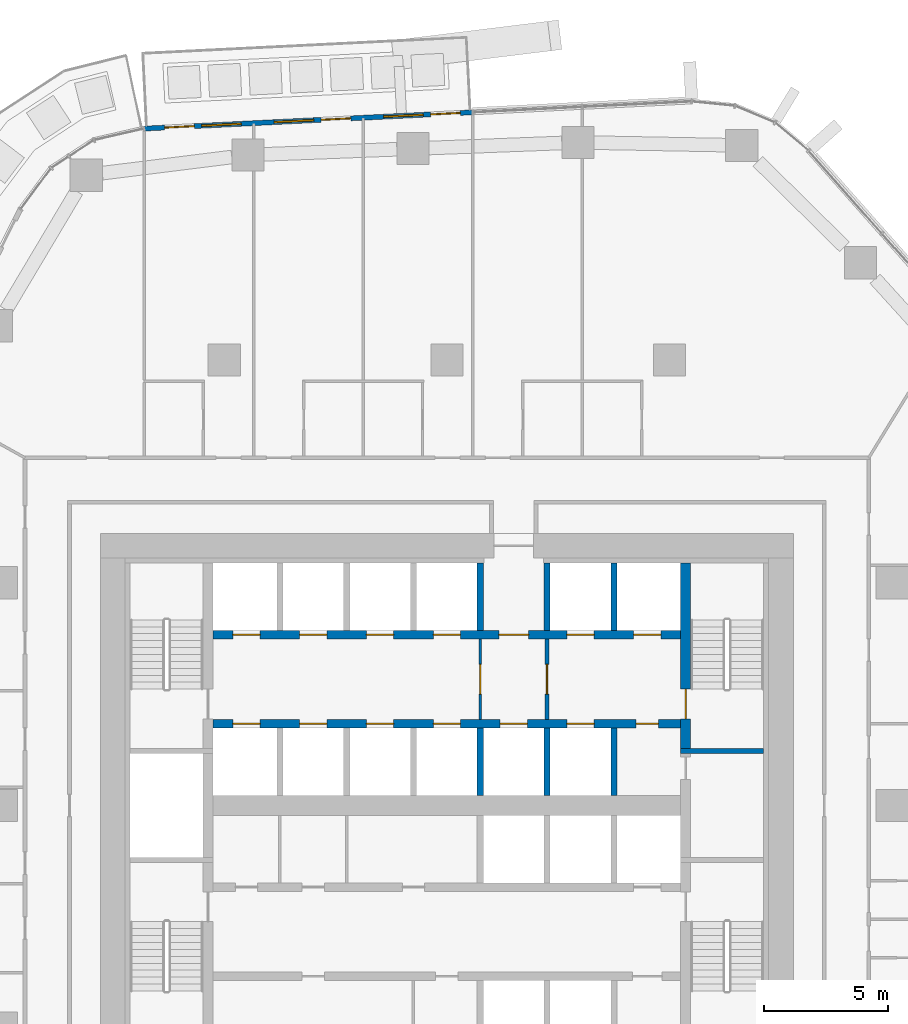
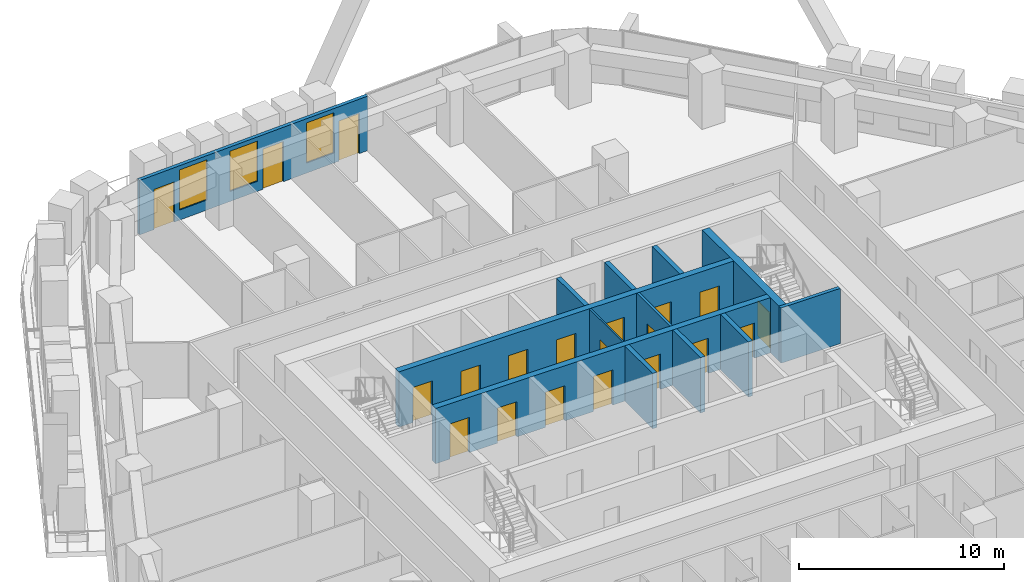
# One storey, part 16 of 25: 20 doors, 13 walls, 3 windows, 23 openings.
"""IFC4 building model written with IfcOpenShell, lengths in metres."""

from ifc_helpers import new_model, si_unit, direction, frame, frame_2d, origin, place, context, subcontext, project, spatial, rectangle, extrude, material, layer, layer_set, type_object, element, fill, save


model = new_model("IFC4")

# Units and contexts
model_context = context("Model", 3, precision=1e-05, world=origin(), true_north=direction((0.0, 1.0)))
body_context = subcontext(model_context, "Body", "Model", "MODEL_VIEW")
ifc_project = project(units=[si_unit("LENGTHUNIT", "METRE"), si_unit("AREAUNIT", "SQUARE_METRE"), si_unit("VOLUMEUNIT", "CUBIC_METRE"), si_unit("PLANEANGLEUNIT", "RADIAN"), si_unit("MASSUNIT", "GRAM", prefix="KILO")], contexts=[model_context])

# Site, building, storey
site_placement = place(None, origin())
site = spatial("IfcSite", under=ifc_project, at=site_placement, CompositionType="ELEMENT")
building_placement = place(site_placement, origin())
building = spatial("IfcBuilding", under=site, at=building_placement, Name="Dongbaek Canopy Tower", CompositionType="ELEMENT")
storey_placement = place(building_placement, frame((0.0, 0.0, 102.60009765625)))
storey = spatial("IfcBuildingStorey", under=building, at=storey_placement, Name="L21", CompositionType="ELEMENT", Elevation=102.60009765625)

# Wall, openings, doors
ifc_material_1 = material(Name="Concrete C60/75", Category="concrete")
ifc_layer_1 = layer(ifc_material_1, 0.35009765625)
ifc_layer_set_1 = layer_set([ifc_layer_1], Name="Core lobby wall 350 Concrete C60/75")
wall_type_1 = type_object("IfcWallType", Name="Core lobby wall 350 Concrete C60/75", PredefinedType="SHEAR", material=ifc_layer_set_1)
wall_1_placement = place(storey_placement, frame((-9.449951171875, 6.89990234375, 0.0), z_axis=(0.0, 0.0, 1.0), x_axis=(1.0, 0.0, 0.0)))
wall_1 = element("IfcWall", 1, at=wall_1_placement, inside=storey, type_object=wall_type_1, Name="Core wall", PredefinedType="SHEAR", context=body_context, shape_type="SweptSolid", body=[
    extrude(rectangle(XDim=18.89990234375, YDim=0.35009765625, at=frame_2d((9.449951171875, 0.0))), origin(), (0.0, 0.0, 1.0), 3.2998046875),
])
opening_1_placement = place(wall_1_placement, frame((0.800048828125, 0.0, 0.0)))
opening_1 = element("IfcOpeningElement", 2, at=opening_1_placement, cuts=wall_1, Name="Opening L21-D042", PredefinedType="OPENING", context=body_context, shape_type="SweptSolid", body=[
    extrude(rectangle(XDim=1.10009765625, YDim=2.10009765625, at=frame_2d((0.550048828125, 1.050048828125))), frame((0.0, 0.18505859375, 0.0), z_axis=(0.0, -1.0, 0.0), x_axis=(1.0, 0.0, 0.0)), (0.0, 0.0, 1.0), 0.3701171875),
])
opening_2_placement = place(wall_1_placement, frame((3.5, 0.0, 0.0)))
opening_2 = element("IfcOpeningElement", 3, at=opening_2_placement, cuts=wall_1, Name="Opening L21-D043", PredefinedType="OPENING", context=body_context, shape_type="SweptSolid", body=[
    extrude(rectangle(XDim=1.10009765625, YDim=2.10009765625, at=frame_2d((0.550048828125, 1.050048828125))), frame((0.0, 0.18505859375, 0.0), z_axis=(0.0, -1.0, 0.0), x_axis=(1.0, 0.0, 0.0)), (0.0, 0.0, 1.0), 0.3701171875),
])
opening_3_placement = place(wall_1_placement, frame((6.199951171875, 0.0, 0.0)))
opening_3 = element("IfcOpeningElement", 4, at=opening_3_placement, cuts=wall_1, Name="Opening L21-D044", PredefinedType="OPENING", context=body_context, shape_type="SweptSolid", body=[
    extrude(rectangle(XDim=1.10009765625, YDim=2.10009765625, at=frame_2d((0.550048828125, 1.050048828125))), frame((0.0, 0.18505859375, 0.0), z_axis=(0.0, -1.0, 0.0), x_axis=(1.0, 0.0, 0.0)), (0.0, 0.0, 1.0), 0.3701171875),
])
opening_4_placement = place(wall_1_placement, frame((8.89990234375, 0.0, 0.0)))
opening_4 = element("IfcOpeningElement", 5, at=opening_4_placement, cuts=wall_1, Name="Opening L21-D045", PredefinedType="OPENING", context=body_context, shape_type="SweptSolid", body=[
    extrude(rectangle(XDim=1.10009765625, YDim=2.10009765625, at=frame_2d((0.550048828125, 1.050048828125))), frame((0.0, 0.18505859375, 0.0), z_axis=(0.0, -1.0, 0.0), x_axis=(1.0, 0.0, 0.0)), (0.0, 0.0, 1.0), 0.3701171875),
])
opening_5_placement = place(wall_1_placement, frame((11.550048828125, 0.0, 0.0)))
opening_5 = element("IfcOpeningElement", 6, at=opening_5_placement, cuts=wall_1, Name="Opening L21-D047", PredefinedType="OPENING", context=body_context, shape_type="SweptSolid", body=[
    extrude(rectangle(XDim=1.199951171875, YDim=2.10009765625, at=frame_2d((0.60009765625, 1.050048828125))), frame((0.0, 0.18505859375, 0.0), z_axis=(0.0, -1.0, 0.0), x_axis=(1.0, 0.0, 0.0)), (0.0, 0.0, 1.0), 0.3701171875),
])
opening_6_placement = place(wall_1_placement, frame((14.300048828125, 0.0, 0.0)))
opening_6 = element("IfcOpeningElement", 7, at=opening_6_placement, cuts=wall_1, Name="Opening L21-D048", PredefinedType="OPENING", context=body_context, shape_type="SweptSolid", body=[
    extrude(rectangle(XDim=1.10009765625, YDim=2.10009765625, at=frame_2d((0.550048828125, 1.050048828125))), frame((0.0, 0.18505859375, 0.0), z_axis=(0.0, -1.0, 0.0), x_axis=(1.0, 0.0, 0.0)), (0.0, 0.0, 1.0), 0.3701171875),
])
opening_7_placement = place(wall_1_placement, frame((17.0, 0.0, 0.0)))
opening_7 = element("IfcOpeningElement", 8, at=opening_7_placement, cuts=wall_1, Name="Opening L21-D049", PredefinedType="OPENING", context=body_context, shape_type="SweptSolid", body=[
    extrude(rectangle(XDim=1.10009765625, YDim=2.10009765625, at=frame_2d((0.550048828125, 1.050048828125))), frame((0.0, 0.18505859375, 0.0), z_axis=(0.0, -1.0, 0.0), x_axis=(1.0, 0.0, 0.0)), (0.0, 0.0, 1.0), 0.3701171875),
])
ifc_material_2 = material(Name="Steel", Category="steel")
door_type_1 = type_object("IfcDoorType", Name="Fire lobby door 1200 x 2100", OperationType="SINGLE_SWING_LEFT", PredefinedType="DOOR", material=ifc_material_2)
door_1_placement = place(opening_5_placement, origin())
door_1 = element("IfcDoor", 9, at=door_1_placement, inside=storey, type_object=door_type_1, Name="Door L21-D047", OperationType="SINGLE_SWING_LEFT", OverallHeight=2.10009765625, OverallWidth=1.199951171875, PredefinedType="DOOR", context=body_context, shape_type="SweptSolid", body=[
    extrude(rectangle(XDim=1.199951171875, YDim=2.10009765625, at=frame_2d((0.60009765625, 1.050048828125))), frame((0.0, 0.02490234375, 0.0), z_axis=(0.0, -1.0, 0.0), x_axis=(1.0, 0.0, 0.0)), (0.0, 0.0, 1.0), 0.050048828125),
])
fill(opening_5, door_1)
ifc_material_3 = material(Name="Stainless steel", Category="steel")
door_type_2 = type_object("IfcDoorType", Name="Lift landing door 1100 x 2100", OperationType="DOUBLE_DOOR_SLIDING", PredefinedType="DOOR", material=ifc_material_3)
door_2_placement = place(opening_1_placement, origin())
door_2 = element("IfcDoor", 10, at=door_2_placement, inside=storey, type_object=door_type_2, Name="Landing door LR1", OperationType="DOUBLE_DOOR_SLIDING", OverallHeight=2.10009765625, OverallWidth=1.10009765625, PredefinedType="DOOR", context=body_context, shape_type="SweptSolid", body=[
    extrude(rectangle(XDim=1.10009765625, YDim=2.10009765625, at=frame_2d((0.550048828125, 1.050048828125))), frame((0.0, 0.02490234375, 0.0), z_axis=(0.0, -1.0, 0.0), x_axis=(1.0, 0.0, 0.0)), (0.0, 0.0, 1.0), 0.050048828125),
])
fill(opening_1, door_2)
door_3_placement = place(opening_2_placement, origin())
door_3 = element("IfcDoor", 11, at=door_3_placement, inside=storey, type_object=door_type_2, Name="Landing door LR2", OperationType="DOUBLE_DOOR_SLIDING", OverallHeight=2.10009765625, OverallWidth=1.10009765625, PredefinedType="DOOR", context=body_context, shape_type="SweptSolid", body=[
    extrude(rectangle(XDim=1.10009765625, YDim=2.10009765625, at=frame_2d((0.550048828125, 1.050048828125))), frame((0.0, 0.02490234375, 0.0), z_axis=(0.0, -1.0, 0.0), x_axis=(1.0, 0.0, 0.0)), (0.0, 0.0, 1.0), 0.050048828125),
])
fill(opening_2, door_3)
door_4_placement = place(opening_3_placement, origin())
door_4 = element("IfcDoor", 12, at=door_4_placement, inside=storey, type_object=door_type_2, Name="Landing door LR3", OperationType="DOUBLE_DOOR_SLIDING", OverallHeight=2.10009765625, OverallWidth=1.10009765625, PredefinedType="DOOR", context=body_context, shape_type="SweptSolid", body=[
    extrude(rectangle(XDim=1.10009765625, YDim=2.10009765625, at=frame_2d((0.550048828125, 1.050048828125))), frame((0.0, 0.02490234375, 0.0), z_axis=(0.0, -1.0, 0.0), x_axis=(1.0, 0.0, 0.0)), (0.0, 0.0, 1.0), 0.050048828125),
])
fill(opening_3, door_4)
door_5_placement = place(opening_4_placement, origin())
door_5 = element("IfcDoor", 13, at=door_5_placement, inside=storey, type_object=door_type_2, Name="Landing door LR4", OperationType="DOUBLE_DOOR_SLIDING", OverallHeight=2.10009765625, OverallWidth=1.10009765625, PredefinedType="DOOR", context=body_context, shape_type="SweptSolid", body=[
    extrude(rectangle(XDim=1.10009765625, YDim=2.10009765625, at=frame_2d((0.550048828125, 1.050048828125))), frame((0.0, 0.02490234375, 0.0), z_axis=(0.0, -1.0, 0.0), x_axis=(1.0, 0.0, 0.0)), (0.0, 0.0, 1.0), 0.050048828125),
])
fill(opening_4, door_5)
door_6_placement = place(opening_6_placement, origin())
door_6 = element("IfcDoor", 14, at=door_6_placement, inside=storey, type_object=door_type_2, Name="Landing door FF1", OperationType="DOUBLE_DOOR_SLIDING", OverallHeight=2.10009765625, OverallWidth=1.10009765625, PredefinedType="DOOR", context=body_context, shape_type="SweptSolid", body=[
    extrude(rectangle(XDim=1.10009765625, YDim=2.10009765625, at=frame_2d((0.550048828125, 1.050048828125))), frame((0.0, 0.02490234375, 0.0), z_axis=(0.0, -1.0, 0.0), x_axis=(1.0, 0.0, 0.0)), (0.0, 0.0, 1.0), 0.050048828125),
])
fill(opening_6, door_6)
door_7_placement = place(opening_7_placement, origin())
door_7 = element("IfcDoor", 15, at=door_7_placement, inside=storey, type_object=door_type_2, Name="Landing door FF2", OperationType="DOUBLE_DOOR_SLIDING", OverallHeight=2.10009765625, OverallWidth=1.10009765625, PredefinedType="DOOR", context=body_context, shape_type="SweptSolid", body=[
    extrude(rectangle(XDim=1.10009765625, YDim=2.10009765625, at=frame_2d((0.550048828125, 1.050048828125))), frame((0.0, 0.02490234375, 0.0), z_axis=(0.0, -1.0, 0.0), x_axis=(1.0, 0.0, 0.0)), (0.0, 0.0, 1.0), 0.050048828125),
])
fill(opening_7, door_7)

wall_2_placement = place(storey_placement, frame((9.449951171875, 3.300048828125, 0.0), z_axis=(0.0, 0.0, 1.0), x_axis=(-1.0, 0.0, 0.0)))
wall_2 = element("IfcWall", 16, at=wall_2_placement, inside=storey, type_object=wall_type_1, Name="Core wall", PredefinedType="SHEAR", context=body_context, shape_type="SweptSolid", body=[
    extrude(rectangle(XDim=18.89990234375, YDim=0.35009765625, at=frame_2d((9.449951171875, 0.0))), origin(), (0.0, 0.0, 1.0), 3.2998046875),
])
opening_8_placement = place(wall_2_placement, frame((17.0, 0.0, 0.0)))
opening_8 = element("IfcOpeningElement", 17, at=opening_8_placement, cuts=wall_2, Name="Opening L21-D050", PredefinedType="OPENING", context=body_context, shape_type="SweptSolid", body=[
    extrude(rectangle(XDim=1.10009765625, YDim=2.10009765625, at=frame_2d((0.550048828125, 1.050048828125))), frame((0.0, 0.18505859375, 0.0), z_axis=(0.0, -1.0, 0.0), x_axis=(1.0, 0.0, 0.0)), (0.0, 0.0, 1.0), 0.3701171875),
])
opening_9_placement = place(wall_2_placement, frame((14.300048828125, 0.0, 0.0)))
opening_9 = element("IfcOpeningElement", 18, at=opening_9_placement, cuts=wall_2, Name="Opening L21-D051", PredefinedType="OPENING", context=body_context, shape_type="SweptSolid", body=[
    extrude(rectangle(XDim=1.10009765625, YDim=2.10009765625, at=frame_2d((0.550048828125, 1.050048828125))), frame((0.0, 0.18505859375, 0.0), z_axis=(0.0, -1.0, 0.0), x_axis=(1.0, 0.0, 0.0)), (0.0, 0.0, 1.0), 0.3701171875),
])
opening_10_placement = place(wall_2_placement, frame((11.60009765625, 0.0, 0.0)))
opening_10 = element("IfcOpeningElement", 19, at=opening_10_placement, cuts=wall_2, Name="Opening L21-D052", PredefinedType="OPENING", context=body_context, shape_type="SweptSolid", body=[
    extrude(rectangle(XDim=1.10009765625, YDim=2.10009765625, at=frame_2d((0.550048828125, 1.050048828125))), frame((0.0, 0.18505859375, 0.0), z_axis=(0.0, -1.0, 0.0), x_axis=(1.0, 0.0, 0.0)), (0.0, 0.0, 1.0), 0.3701171875),
])
opening_11_placement = place(wall_2_placement, frame((8.89990234375, 0.0, 0.0)))
opening_11 = element("IfcOpeningElement", 20, at=opening_11_placement, cuts=wall_2, Name="Opening L21-D053", PredefinedType="OPENING", context=body_context, shape_type="SweptSolid", body=[
    extrude(rectangle(XDim=1.10009765625, YDim=2.10009765625, at=frame_2d((0.550048828125, 1.050048828125))), frame((0.0, 0.18505859375, 0.0), z_axis=(0.0, -1.0, 0.0), x_axis=(1.0, 0.0, 0.0)), (0.0, 0.0, 1.0), 0.3701171875),
])
opening_12_placement = place(wall_2_placement, frame((6.199951171875, 0.0, 0.0)))
opening_12 = element("IfcOpeningElement", 21, at=opening_12_placement, cuts=wall_2, Name="Opening L21-D054", PredefinedType="OPENING", context=body_context, shape_type="SweptSolid", body=[
    extrude(rectangle(XDim=1.10009765625, YDim=2.10009765625, at=frame_2d((0.550048828125, 1.050048828125))), frame((0.0, 0.18505859375, 0.0), z_axis=(0.0, -1.0, 0.0), x_axis=(1.0, 0.0, 0.0)), (0.0, 0.0, 1.0), 0.3701171875),
])
opening_13_placement = place(wall_2_placement, frame((3.5, 0.0, 0.0)))
opening_13 = element("IfcOpeningElement", 22, at=opening_13_placement, cuts=wall_2, Name="Opening L21-D055", PredefinedType="OPENING", context=body_context, shape_type="SweptSolid", body=[
    extrude(rectangle(XDim=1.10009765625, YDim=2.10009765625, at=frame_2d((0.550048828125, 1.050048828125))), frame((0.0, 0.18505859375, 0.0), z_axis=(0.0, -1.0, 0.0), x_axis=(1.0, 0.0, 0.0)), (0.0, 0.0, 1.0), 0.3701171875),
])
opening_14_placement = place(wall_2_placement, frame((0.89990234375, 0.0, 0.0)))
opening_14 = element("IfcOpeningElement", 23, at=opening_14_placement, cuts=wall_2, Name="Opening L21-D056", PredefinedType="OPENING", context=body_context, shape_type="SweptSolid", body=[
    extrude(rectangle(XDim=0.89990234375, YDim=2.10009765625, at=frame_2d((0.449951171875, 1.050048828125))), frame((0.0, 0.18505859375, 0.0), z_axis=(0.0, -1.0, 0.0), x_axis=(1.0, 0.0, 0.0)), (0.0, 0.0, 1.0), 0.3701171875),
])
ifc_material_4 = material(Name="Steel", Category="steel")
door_type_3 = type_object("IfcDoorType", Name="Core room door 900 x 2100", OperationType="SINGLE_SWING_LEFT", PredefinedType="DOOR", material=ifc_material_4)
door_8_placement = place(opening_14_placement, origin())
door_8 = element("IfcDoor", 24, at=door_8_placement, inside=storey, type_object=door_type_3, Name="Door L21-D056", OperationType="SINGLE_SWING_LEFT", OverallHeight=2.10009765625, OverallWidth=0.89990234375, PredefinedType="DOOR", context=body_context, shape_type="SweptSolid", body=[
    extrude(rectangle(XDim=0.89990234375, YDim=2.10009765625, at=frame_2d((0.449951171875, 1.050048828125))), frame((0.0, 0.02490234375, 0.0), z_axis=(0.0, -1.0, 0.0), x_axis=(1.0, 0.0, 0.0)), (0.0, 0.0, 1.0), 0.050048828125),
])
fill(opening_14, door_8)
door_9_placement = place(opening_8_placement, origin())
door_9 = element("IfcDoor", 25, at=door_9_placement, inside=storey, type_object=door_type_2, Name="Landing door LR5", OperationType="DOUBLE_DOOR_SLIDING", OverallHeight=2.10009765625, OverallWidth=1.10009765625, PredefinedType="DOOR", context=body_context, shape_type="SweptSolid", body=[
    extrude(rectangle(XDim=1.10009765625, YDim=2.10009765625, at=frame_2d((0.550048828125, 1.050048828125))), frame((0.0, 0.02490234375, 0.0), z_axis=(0.0, -1.0, 0.0), x_axis=(1.0, 0.0, 0.0)), (0.0, 0.0, 1.0), 0.050048828125),
])
fill(opening_8, door_9)
door_10_placement = place(opening_9_placement, origin())
door_10 = element("IfcDoor", 26, at=door_10_placement, inside=storey, type_object=door_type_2, Name="Landing door LR6", OperationType="DOUBLE_DOOR_SLIDING", OverallHeight=2.10009765625, OverallWidth=1.10009765625, PredefinedType="DOOR", context=body_context, shape_type="SweptSolid", body=[
    extrude(rectangle(XDim=1.10009765625, YDim=2.10009765625, at=frame_2d((0.550048828125, 1.050048828125))), frame((0.0, 0.02490234375, 0.0), z_axis=(0.0, -1.0, 0.0), x_axis=(1.0, 0.0, 0.0)), (0.0, 0.0, 1.0), 0.050048828125),
])
fill(opening_9, door_10)
door_11_placement = place(opening_10_placement, origin())
door_11 = element("IfcDoor", 27, at=door_11_placement, inside=storey, type_object=door_type_2, Name="Landing door LR7", OperationType="DOUBLE_DOOR_SLIDING", OverallHeight=2.10009765625, OverallWidth=1.10009765625, PredefinedType="DOOR", context=body_context, shape_type="SweptSolid", body=[
    extrude(rectangle(XDim=1.10009765625, YDim=2.10009765625, at=frame_2d((0.550048828125, 1.050048828125))), frame((0.0, 0.02490234375, 0.0), z_axis=(0.0, -1.0, 0.0), x_axis=(1.0, 0.0, 0.0)), (0.0, 0.0, 1.0), 0.050048828125),
])
fill(opening_10, door_11)
door_12_placement = place(opening_11_placement, origin())
door_12 = element("IfcDoor", 28, at=door_12_placement, inside=storey, type_object=door_type_2, Name="Landing door LR8", OperationType="DOUBLE_DOOR_SLIDING", OverallHeight=2.10009765625, OverallWidth=1.10009765625, PredefinedType="DOOR", context=body_context, shape_type="SweptSolid", body=[
    extrude(rectangle(XDim=1.10009765625, YDim=2.10009765625, at=frame_2d((0.550048828125, 1.050048828125))), frame((0.0, 0.02490234375, 0.0), z_axis=(0.0, -1.0, 0.0), x_axis=(1.0, 0.0, 0.0)), (0.0, 0.0, 1.0), 0.050048828125),
])
fill(opening_11, door_12)
door_13_placement = place(opening_12_placement, origin())
door_13 = element("IfcDoor", 29, at=door_13_placement, inside=storey, type_object=door_type_2, Name="Landing door SV1", OperationType="DOUBLE_DOOR_SLIDING", OverallHeight=2.10009765625, OverallWidth=1.10009765625, PredefinedType="DOOR", context=body_context, shape_type="SweptSolid", body=[
    extrude(rectangle(XDim=1.10009765625, YDim=2.10009765625, at=frame_2d((0.550048828125, 1.050048828125))), frame((0.0, 0.02490234375, 0.0), z_axis=(0.0, -1.0, 0.0), x_axis=(1.0, 0.0, 0.0)), (0.0, 0.0, 1.0), 0.050048828125),
])
fill(opening_12, door_13)
door_14_placement = place(opening_13_placement, origin())
door_14 = element("IfcDoor", 30, at=door_14_placement, inside=storey, type_object=door_type_2, Name="Landing door FF3", OperationType="DOUBLE_DOOR_SLIDING", OverallHeight=2.10009765625, OverallWidth=1.10009765625, PredefinedType="DOOR", context=body_context, shape_type="SweptSolid", body=[
    extrude(rectangle(XDim=1.10009765625, YDim=2.10009765625, at=frame_2d((0.550048828125, 1.050048828125))), frame((0.0, 0.02490234375, 0.0), z_axis=(0.0, -1.0, 0.0), x_axis=(1.0, 0.0, 0.0)), (0.0, 0.0, 1.0), 0.050048828125),
])
fill(opening_13, door_14)

# Wall, opening, door
ifc_material_5 = material(Name="Gypsum board partition, steel stud, 2 x 15 mm fire board", Category="steel")
ifc_layer_2 = layer(ifc_material_5, 0.14990234375)
ifc_layer_set_2 = layer_set([ifc_layer_2], Name="Fire-rated partition 150 gypsum board")
wall_type_2 = type_object("IfcWallType", Name="Fire-rated partition 150 gypsum board", PredefinedType="PARTITIONING", material=ifc_layer_set_2)
wall_3_placement = place(storey_placement, frame((4.050048828125, 6.72509765625, 0.0), z_axis=(0.0, 0.0, 1.0), x_axis=(0.0, -1.0, 0.0)))
wall_3 = element("IfcWall", 31, at=wall_3_placement, inside=storey, type_object=wall_type_2, Name="Fire lobby partition", PredefinedType="PARTITIONING", context=body_context, shape_type="SweptSolid", body=[
    extrude(rectangle(XDim=3.25, YDim=0.14990234375, at=frame_2d((1.625, 0.0))), origin(), (0.0, 0.0, 1.0), 3.2998046875),
])
opening_15_placement = place(wall_3_placement, frame((1.02490234375, 0.0, 0.0)))
opening_15 = element("IfcOpeningElement", 32, at=opening_15_placement, cuts=wall_3, Name="Opening L21-D070", PredefinedType="OPENING", context=body_context, shape_type="SweptSolid", body=[
    extrude(rectangle(XDim=1.199951171875, YDim=2.10009765625, at=frame_2d((0.60009765625, 1.050048828125))), frame((0.0, 0.0849609375, 0.0), z_axis=(0.0, -1.0, 0.0), x_axis=(1.0, 0.0, 0.0)), (0.0, 0.0, 1.0), 0.169921875),
])
door_15_placement = place(opening_15_placement, origin())
door_15 = element("IfcDoor", 33, at=door_15_placement, inside=storey, type_object=door_type_1, Name="Door L21-D070", OperationType="SINGLE_SWING_RIGHT", OverallHeight=2.10009765625, OverallWidth=1.199951171875, PredefinedType="DOOR", context=body_context, shape_type="SweptSolid", body=[
    extrude(rectangle(XDim=1.199951171875, YDim=2.10009765625, at=frame_2d((0.60009765625, 1.050048828125))), frame((0.0, 0.02490234375, 0.0), z_axis=(0.0, -1.0, 0.0), x_axis=(1.0, 0.0, 0.0)), (0.0, 0.0, 1.0), 0.050048828125),
])
fill(opening_15, door_15)

# Walls
ifc_material_6 = material(Name="Concrete C40/50", Category="concrete")
ifc_layer_3 = layer(ifc_material_6, 0.25)
ifc_layer_set_3 = layer_set([ifc_layer_3], Name="Lift shaft wall 250 Concrete C40/50")
wall_type_3 = type_object("IfcWallType", Name="Lift shaft wall 250 Concrete C40/50", PredefinedType="SOLIDWALL", material=ifc_layer_set_3)
for number, where, z_axis, x_axis, name in (
    (34, (6.75, 0.39990234375, 0.0), (0.0, 0.0, 1.0), (0.0, 1.0, 0.0), "Lift shaft wall"),
    (35, (6.75, 7.074951171875, 0.0), (0.0, 0.0, 1.0), (0.0, 1.0, 0.0), "Lift shaft wall"),
    (36, (4.050048828125, 0.39990234375, 0.0), (0.0, 0.0, 1.0), (0.0, 1.0, 0.0), "Lift shaft wall"),
    (37, (4.050048828125, 7.074951171875, 0.0), (0.0, 0.0, 1.0), (0.0, 1.0, 0.0), "Lift shaft wall"),
    (38, (1.35009765625, 0.39990234375, 0.0), (0.0, 0.0, 1.0), (0.0, 1.0, 0.0), "Lift shaft wall"),
    (39, (1.35009765625, 7.074951171875, 0.0), (0.0, 0.0, 1.0), (0.0, 1.0, 0.0), "Lift shaft wall"),
):
    element("IfcWall", number, at=place(storey_placement, frame(where, z_axis=z_axis, x_axis=x_axis)), inside=storey, type_object=wall_type_3, Name=name, PredefinedType="SOLIDWALL", context=body_context, shape_type="SweptSolid", body=[
        extrude(rectangle(XDim=2.72509765625, YDim=0.25, at=frame_2d((1.362548828125, 0.0))), origin(), (0.0, 0.0, 1.0), 3.2998046875),
    ])

# Wall, opening, door
ifc_material_7 = material(Name="Gypsum board partition, steel stud, 2 x 12.5 mm board", Category="steel")
ifc_layer_4 = layer(ifc_material_7, 0.10009765625)
ifc_layer_set_4 = layer_set([ifc_layer_4], Name="Partition 100 gypsum board")
wall_type_4 = type_object("IfcWallType", Name="Partition 100 gypsum board", PredefinedType="PARTITIONING", material=ifc_layer_set_4)
wall_4_placement = place(storey_placement, frame((1.35009765625, 6.72509765625, 0.0), z_axis=(0.0, 0.0, 1.0), x_axis=(0.0, -1.0, 0.0)))
wall_4 = element("IfcWall", 40, at=wall_4_placement, inside=storey, type_object=wall_type_4, Name="Core partition", PredefinedType="PARTITIONING", context=body_context, shape_type="SweptSolid", body=[
    extrude(rectangle(XDim=3.25, YDim=0.10009765625, at=frame_2d((1.625, 0.0))), origin(), (0.0, 0.0, 1.0), 3.2998046875),
])
opening_16_placement = place(wall_4_placement, frame((1.02490234375, 0.0, 0.0)))
opening_16 = element("IfcOpeningElement", 41, at=opening_16_placement, cuts=wall_4, Name="Opening L21-D069", PredefinedType="OPENING", context=body_context, shape_type="SweptSolid", body=[
    extrude(rectangle(XDim=1.199951171875, YDim=2.10009765625, at=frame_2d((0.60009765625, 1.050048828125))), frame((0.0, 0.06005859375, 0.0), z_axis=(0.0, -1.0, 0.0), x_axis=(1.0, 0.0, 0.0)), (0.0, 0.0, 1.0), 0.1201171875),
])
door_16_placement = place(opening_16_placement, origin())
door_16 = element("IfcDoor", 42, at=door_16_placement, inside=storey, type_object=door_type_1, Name="Door L21-D069", OperationType="SINGLE_SWING_LEFT", OverallHeight=2.10009765625, OverallWidth=1.199951171875, PredefinedType="DOOR", context=body_context, shape_type="SweptSolid", body=[
    extrude(rectangle(XDim=1.199951171875, YDim=2.10009765625, at=frame_2d((0.60009765625, 1.050048828125))), frame((0.0, 0.02490234375, 0.0), z_axis=(0.0, -1.0, 0.0), x_axis=(1.0, 0.0, 0.0)), (0.0, 0.0, 1.0), 0.050048828125),
])
fill(opening_16, door_16)

# Wall
ifc_material_8 = material(Name="Concrete C60/75", Category="concrete")
ifc_layer_5 = layer(ifc_material_8, 0.199951171875)
ifc_layer_set_5 = layer_set([ifc_layer_5], Name="Riser wall 200 Concrete C60/75")
wall_type_5 = type_object("IfcWallType", Name="Riser wall 200 Concrete C60/75", PredefinedType="SHEAR", material=ifc_layer_set_5)
wall_5_placement = place(storey_placement, frame((9.449951171875, 2.199951171875, 0.0), z_axis=(0.0, 0.0, 1.0), x_axis=(1.0, 0.0, 0.0)))
element("IfcWall", 43, at=wall_5_placement, inside=storey, type_object=wall_type_5, Name="Riser wall", PredefinedType="SHEAR", context=body_context, shape_type="SweptSolid", body=[
    extrude(rectangle(XDim=3.35009765625, YDim=0.199951171875, at=frame_2d((1.675048828125, 0.0))), origin(), (0.0, 0.0, 1.0), 3.2998046875),
])

# Wall, opening, door
ifc_material_9 = material(Name="Concrete C60/75", Category="concrete")
ifc_layer_6 = layer(ifc_material_9, 0.39990234375)
ifc_layer_set_6 = layer_set([ifc_layer_6], Name="Stair wall 400 Concrete C60/75")
wall_type_6 = type_object("IfcWallType", Name="Stair wall 400 Concrete C60/75", PredefinedType="SHEAR", material=ifc_layer_set_6)
wall_6_placement = place(storey_placement, frame((9.64990234375, 9.800048828125, 0.0), z_axis=(0.0, 0.0, 1.0), x_axis=(0.0, -1.0, 0.0)))
wall_6 = element("IfcWall", 44, at=wall_6_placement, inside=storey, type_object=wall_type_6, Name="Stair wall", PredefinedType="SHEAR", context=body_context, shape_type="SweptSolid", body=[
    extrude(rectangle(XDim=7.5, YDim=0.39990234375, at=frame_2d((3.75, 0.0))), origin(), (0.0, 0.0, 1.0), 3.2998046875),
])
opening_17_placement = place(wall_6_placement, frame((5.10009765625, 0.0, 0.0)))
opening_17 = element("IfcOpeningElement", 45, at=opening_17_placement, cuts=wall_6, Name="Opening L21-D065", PredefinedType="OPENING", context=body_context, shape_type="SweptSolid", body=[
    extrude(rectangle(XDim=1.199951171875, YDim=2.10009765625, at=frame_2d((0.60009765625, 1.050048828125))), frame((0.0, 0.2099609375, 0.0), z_axis=(0.0, -1.0, 0.0), x_axis=(1.0, 0.0, 0.0)), (0.0, 0.0, 1.0), 0.419921875),
])
ifc_material_10 = material(Name="Steel", Category="steel")
door_type_4 = type_object("IfcDoorType", Name="Stair door 1200 x 2100", OperationType="SINGLE_SWING_LEFT", PredefinedType="DOOR", material=ifc_material_10)
door_17_placement = place(opening_17_placement, origin())
door_17 = element("IfcDoor", 46, at=door_17_placement, inside=storey, type_object=door_type_4, Name="Stair A door", OperationType="SINGLE_SWING_LEFT", OverallHeight=2.10009765625, OverallWidth=1.199951171875, PredefinedType="DOOR", context=body_context, shape_type="SweptSolid", body=[
    extrude(rectangle(XDim=1.199951171875, YDim=2.10009765625, at=frame_2d((0.60009765625, 1.050048828125))), frame((0.0, 0.02490234375, 0.0), z_axis=(0.0, -1.0, 0.0), x_axis=(1.0, 0.0, 0.0)), (0.0, 0.0, 1.0), 0.050048828125),
])
fill(opening_17, door_17)

# Wall, openings, doors, windows
ifc_material_11 = material(Name="Aluminium window wall", Category="aluminium")
ifc_layer_7 = layer(ifc_material_11, 0.199951171875)
ifc_layer_set_7 = layer_set([ifc_layer_7], Name="Window wall 200")
wall_type_7 = type_object("IfcWallType", Name="Window wall 200", PredefinedType="SOLIDWALL", material=ifc_layer_set_7)
wall_7_placement = place(storey_placement, frame((1.042236328125, 28.012451171875, 0.0), z_axis=(0.0, 0.0, 1.0), x_axis=(-0.998772222794, -0.049538338427, 0.0)))
wall_7 = element("IfcWall", 47, at=wall_7_placement, inside=storey, type_object=wall_type_7, Name="Window wall L21 2", PredefinedType="SOLIDWALL", context=body_context, shape_type="SweptSolid", body=[
    extrude(rectangle(XDim=13.296630859375, YDim=0.199951171875, at=frame_2d((6.6484375, 0.0))), origin(), (0.0, 0.0, 1.0), 3.25),
])
opening_18_placement = place(wall_7_placement, frame((2.0, 0.0, 0.60009765625)))
opening_18 = element("IfcOpeningElement", 48, at=opening_18_placement, cuts=wall_7, Name="Opening W1", PredefinedType="OPENING", context=body_context, shape_type="SweptSolid", body=[
    extrude(rectangle(XDim=1.60009765625, YDim=2.39990234375, at=frame_2d((0.800048828125, 1.199951171875))), frame((0.0, 0.10986328125, 0.0), z_axis=(0.0, -1.0, 0.0), x_axis=(1.0, 0.0, 0.0)), (0.0, 0.0, 1.0), 0.219970703125),
])
opening_19_placement = place(wall_7_placement, frame((0.5, 0.0, 0.0)))
opening_19 = element("IfcOpeningElement", 49, at=opening_19_placement, cuts=wall_7, Name="Opening L21-B04", PredefinedType="OPENING", context=body_context, shape_type="SweptSolid", body=[
    extrude(rectangle(XDim=1.199951171875, YDim=2.39990234375, at=frame_2d((0.60009765625, 1.199951171875))), frame((0.0, 0.10986328125, 0.0), z_axis=(0.0, -1.0, 0.0), x_axis=(1.0, 0.0, 0.0)), (0.0, 0.0, 1.0), 0.219970703125),
])
opening_20_placement = place(wall_7_placement, frame((6.43212890625, 0.0, 0.60009765625)))
opening_20 = element("IfcOpeningElement", 50, at=opening_20_placement, cuts=wall_7, Name="Opening W1", PredefinedType="OPENING", context=body_context, shape_type="SweptSolid", body=[
    extrude(rectangle(XDim=1.60009765625, YDim=2.39990234375, at=frame_2d((0.800048828125, 1.199951171875))), frame((0.0, 0.10986328125, 0.0), z_axis=(0.0, -1.0, 0.0), x_axis=(1.0, 0.0, 0.0)), (0.0, 0.0, 1.0), 0.219970703125),
])
opening_21_placement = place(wall_7_placement, frame((4.93212890625, 0.0, 0.0)))
opening_21 = element("IfcOpeningElement", 51, at=opening_21_placement, cuts=wall_7, Name="Opening L21-B05", PredefinedType="OPENING", context=body_context, shape_type="SweptSolid", body=[
    extrude(rectangle(XDim=1.199951171875, YDim=2.39990234375, at=frame_2d((0.60009765625, 1.199951171875))), frame((0.0, 0.10986328125, 0.0), z_axis=(0.0, -1.0, 0.0), x_axis=(1.0, 0.0, 0.0)), (0.0, 0.0, 1.0), 0.219970703125),
])
opening_22_placement = place(wall_7_placement, frame((9.364501953125, 0.0, 0.60009765625)))
opening_22 = element("IfcOpeningElement", 52, at=opening_22_placement, cuts=wall_7, Name="Opening W1", PredefinedType="OPENING", context=body_context, shape_type="SweptSolid", body=[
    extrude(rectangle(XDim=1.60009765625, YDim=2.39990234375, at=frame_2d((0.800048828125, 1.199951171875))), frame((0.0, 0.10986328125, 0.0), z_axis=(0.0, -1.0, 0.0), x_axis=(1.0, 0.0, 0.0)), (0.0, 0.0, 1.0), 0.219970703125),
])
opening_23_placement = place(wall_7_placement, frame((11.264404296875, 0.0, 0.0)))
opening_23 = element("IfcOpeningElement", 53, at=opening_23_placement, cuts=wall_7, Name="Opening L21-B06", PredefinedType="OPENING", context=body_context, shape_type="SweptSolid", body=[
    extrude(rectangle(XDim=1.199951171875, YDim=2.39990234375, at=frame_2d((0.60009765625, 1.199951171875))), frame((0.0, 0.10986328125, 0.0), z_axis=(0.0, -1.0, 0.0), x_axis=(1.0, 0.0, 0.0)), (0.0, 0.0, 1.0), 0.219970703125),
])
ifc_material_12 = material(Name="Clear glazing in aluminium frame", Category="aluminium")
door_type_5 = type_object("IfcDoorType", Name="Balcony door BD1 1200 x 2400", OperationType="SLIDING_TO_LEFT", PredefinedType="DOOR", material=ifc_material_12)
door_18_placement = place(opening_19_placement, origin())
door_18 = element("IfcDoor", 54, at=door_18_placement, inside=storey, type_object=door_type_5, Name="Balcony door L21-B04", OperationType="SLIDING_TO_LEFT", OverallHeight=2.39990234375, OverallWidth=1.199951171875, PredefinedType="DOOR", context=body_context, shape_type="SweptSolid", body=[
    extrude(rectangle(XDim=1.199951171875, YDim=2.39990234375, at=frame_2d((0.60009765625, 1.199951171875))), frame((0.0, 0.02490234375, 0.0), z_axis=(0.0, -1.0, 0.0), x_axis=(1.0, 0.0, 0.0)), (0.0, 0.0, 1.0), 0.050048828125),
])
fill(opening_19, door_18)
door_19_placement = place(opening_21_placement, origin())
door_19 = element("IfcDoor", 55, at=door_19_placement, inside=storey, type_object=door_type_5, Name="Balcony door L21-B05", OperationType="SLIDING_TO_LEFT", OverallHeight=2.39990234375, OverallWidth=1.199951171875, PredefinedType="DOOR", context=body_context, shape_type="SweptSolid", body=[
    extrude(rectangle(XDim=1.199951171875, YDim=2.39990234375, at=frame_2d((0.60009765625, 1.199951171875))), frame((0.0, 0.02490234375, 0.0), z_axis=(0.0, -1.0, 0.0), x_axis=(1.0, 0.0, 0.0)), (0.0, 0.0, 1.0), 0.050048828125),
])
fill(opening_21, door_19)
door_20_placement = place(opening_23_placement, origin())
door_20 = element("IfcDoor", 56, at=door_20_placement, inside=storey, type_object=door_type_5, Name="Balcony door L21-B06", OperationType="SLIDING_TO_LEFT", OverallHeight=2.39990234375, OverallWidth=1.199951171875, PredefinedType="DOOR", context=body_context, shape_type="SweptSolid", body=[
    extrude(rectangle(XDim=1.199951171875, YDim=2.39990234375, at=frame_2d((0.60009765625, 1.199951171875))), frame((0.0, 0.02490234375, 0.0), z_axis=(0.0, -1.0, 0.0), x_axis=(1.0, 0.0, 0.0)), (0.0, 0.0, 1.0), 0.050048828125),
])
fill(opening_23, door_20)
ifc_material_13 = material(Name="Clear glazing in aluminium frame", Category="aluminium")
window_type = type_object("IfcWindowType", Name="Window W1 1600 x 2400", PartitioningType="SINGLE_PANEL", PredefinedType="WINDOW", material=ifc_material_13)
window_1_placement = place(opening_18_placement, origin())
window_1 = element("IfcWindow", 57, at=window_1_placement, inside=storey, type_object=window_type, Name="Window L21 2.1", OverallHeight=2.39990234375, OverallWidth=1.60009765625, PartitioningType="SINGLE_PANEL", PredefinedType="WINDOW", context=body_context, shape_type="SweptSolid", body=[
    extrude(rectangle(XDim=1.60009765625, YDim=2.39990234375, at=frame_2d((0.800048828125, 1.199951171875))), frame((0.0, 0.030029296875, 0.0), z_axis=(0.0, -1.0, 0.0), x_axis=(1.0, 0.0, 0.0)), (0.0, 0.0, 1.0), 0.06005859375),
])
fill(opening_18, window_1)
window_2_placement = place(opening_20_placement, origin())
window_2 = element("IfcWindow", 58, at=window_2_placement, inside=storey, type_object=window_type, Name="Window L21 2.2", OverallHeight=2.39990234375, OverallWidth=1.60009765625, PartitioningType="SINGLE_PANEL", PredefinedType="WINDOW", context=body_context, shape_type="SweptSolid", body=[
    extrude(rectangle(XDim=1.60009765625, YDim=2.39990234375, at=frame_2d((0.800048828125, 1.199951171875))), frame((0.0, 0.030029296875, 0.0), z_axis=(0.0, -1.0, 0.0), x_axis=(1.0, 0.0, 0.0)), (0.0, 0.0, 1.0), 0.06005859375),
])
fill(opening_20, window_2)
window_3_placement = place(opening_22_placement, origin())
window_3 = element("IfcWindow", 59, at=window_3_placement, inside=storey, type_object=window_type, Name="Window L21 2.3", OverallHeight=2.39990234375, OverallWidth=1.60009765625, PartitioningType="SINGLE_PANEL", PredefinedType="WINDOW", context=body_context, shape_type="SweptSolid", body=[
    extrude(rectangle(XDim=1.60009765625, YDim=2.39990234375, at=frame_2d((0.800048828125, 1.199951171875))), frame((0.0, 0.030029296875, 0.0), z_axis=(0.0, -1.0, 0.0), x_axis=(1.0, 0.0, 0.0)), (0.0, 0.0, 1.0), 0.06005859375),
])
fill(opening_22, window_3)

save(model, "model.ifc")
